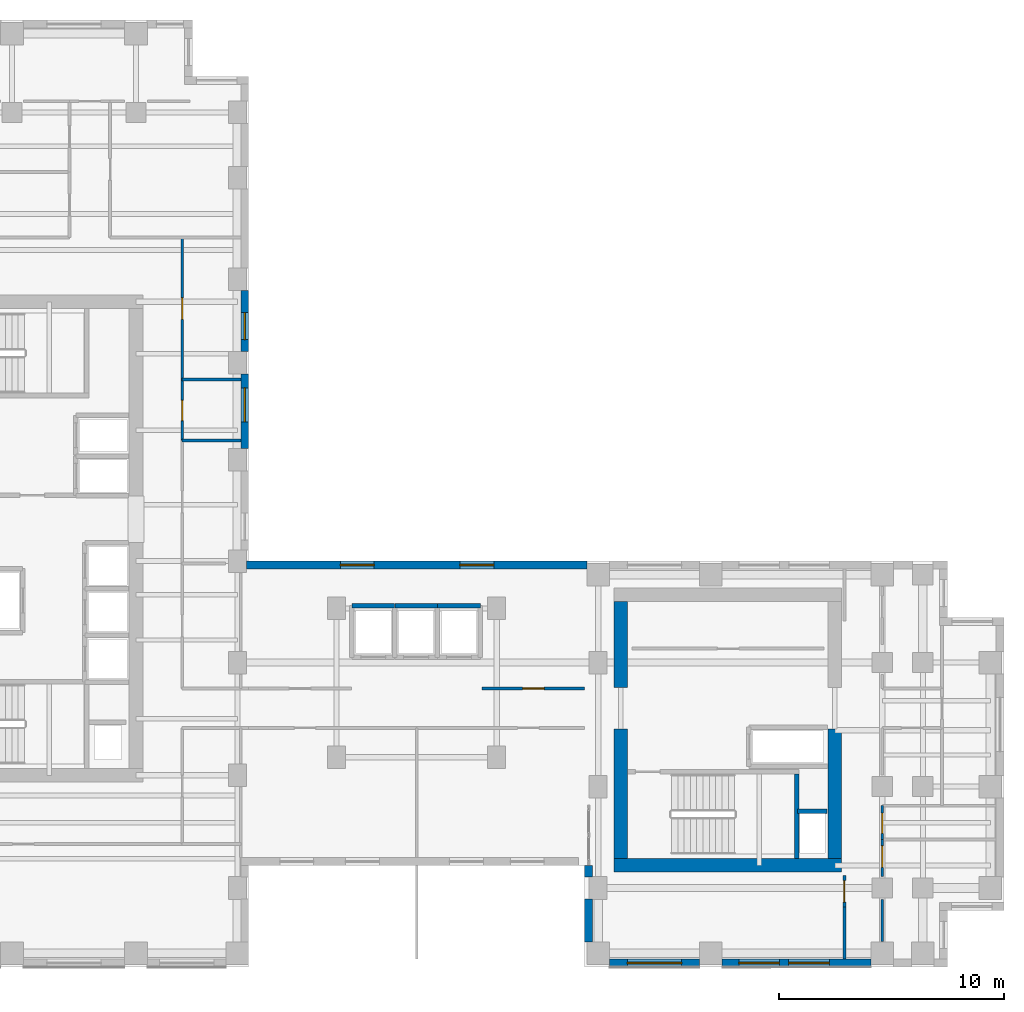
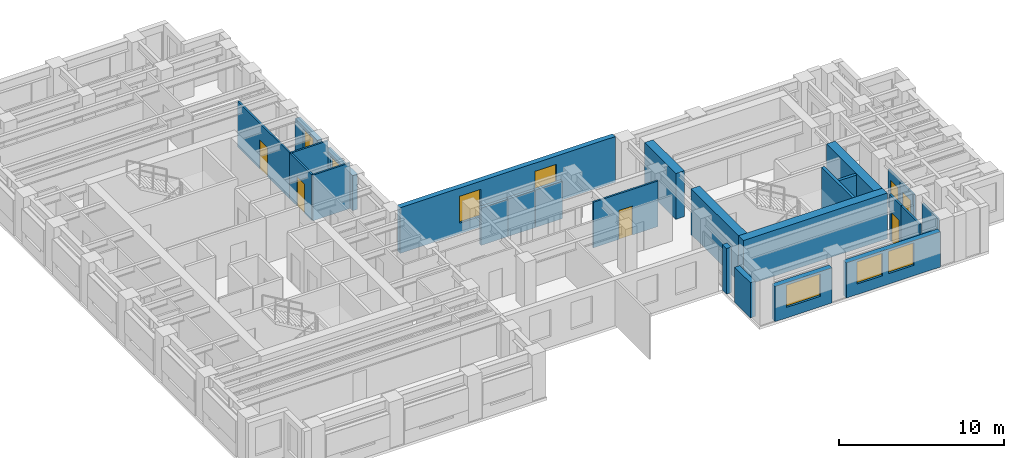
# One storey, part 7 of 12: 26 walls, 7 windows, 6 doors, 13 openings.
"""IFC4 building model written with IfcOpenShell, lengths in metres."""

from ifc_helpers import new_model, si_unit, direction, frame, frame_2d, origin, place, context, subcontext, project, spatial, rectangle, extrude, source, transform, mapped, material, layer, layer_set, type_object, element, fill, save


model = new_model("IFC4")

# Units and contexts
model_context = context("Model", 3, precision=1e-05, world=origin(), true_north=direction((0.0, 1.0)))
body_context = subcontext(model_context, "Body", "Model", "MODEL_VIEW")
ifc_project = project(units=[si_unit("LENGTHUNIT", "METRE"), si_unit("AREAUNIT", "SQUARE_METRE"), si_unit("VOLUMEUNIT", "CUBIC_METRE"), si_unit("PLANEANGLEUNIT", "RADIAN"), si_unit("MASSUNIT", "GRAM", prefix="KILO")], contexts=[model_context])

# Site, building, storey
site_placement = place(None, origin())
site = spatial("IfcSite", under=ifc_project, at=site_placement, CompositionType="ELEMENT")
building_placement = place(site_placement, origin())
building = spatial("IfcBuilding", under=site, at=building_placement, Name="Kharzan Plaza Tower", CompositionType="ELEMENT")
storey_placement = place(building_placement, frame((0.0, 0.0, 146.699951171875)))
storey = spatial("IfcBuildingStorey", under=building, at=storey_placement, Name="L39", CompositionType="ELEMENT", Elevation=146.699951171875)

# Wall, opening, window
ifc_material_1 = material(Name="Concrete C40/50", Category="concrete")
ifc_layer_1 = layer(ifc_material_1, 0.35009765625)
ifc_layer_set_1 = layer_set([ifc_layer_1], Name="Concrete C40/50")
wall_type_1 = type_object("IfcWallType", Name="WL-EXT-MAS-Z3", PredefinedType="SOLIDWALL", material=ifc_layer_set_1)
wall_1_placement = place(storey_placement, frame((35.498046875, 0.175048828125, 0.0), z_axis=(0.0, 0.0, 1.0), x_axis=(1.0, 0.0, 0.0)))
wall_1 = element("IfcWall", 1, at=wall_1_placement, inside=storey, type_object=wall_type_1, Name="L39 Masonry-Frame Exterior Wall 29", PredefinedType="SOLIDWALL", context=body_context, shape_type="SweptSolid", body=[
    extrude(rectangle(XDim=4.00390625, YDim=0.35009765625, at=frame_2d((2.001953125, 0.0))), origin(), (0.0, 0.0, 1.0), 2.612060546875),
])
opening_1_placement = place(wall_1_placement, frame((0.802001953125, 0.0, 0.780029296875)))
opening_1 = element("IfcOpeningElement", 2, at=opening_1_placement, cuts=wall_1, Name="Opening W2", PredefinedType="OPENING", context=body_context, shape_type="SweptSolid", body=[
    extrude(rectangle(XDim=2.39990234375, YDim=1.652099609375, at=frame_2d((1.199951171875, 0.826171875))), frame((0.0, 0.18505859375, 0.0), z_axis=(0.0, -1.0, 0.0), x_axis=(1.0, 0.0, 0.0)), (0.0, 0.0, 1.0), 0.3701171875),
])
ifc_material_2 = material(Name="Low-E Double Glazing", Category="glass")
window_type_1 = type_object("IfcWindowType", Name="WN-REC-2400x2100", PartitioningType="SINGLE_PANEL", PredefinedType="WINDOW", material=ifc_material_2)
shared_shape_1 = source(origin(), body_context, "Body", "SweptSolid", [
    extrude(rectangle(XDim=2.39990234375, YDim=1.652099609375, at=frame_2d((1.199951171875, 0.826171875))), frame((0.0, 0.030029296875, 0.0), z_axis=(0.0, -1.0, 0.0), x_axis=(1.0, 0.0, 0.0)), (0.0, 0.0, 1.0), 0.06005859375),
])
window_1_placement = place(opening_1_placement, origin())
window_1 = element("IfcWindow", 3, at=window_1_placement, inside=storey, type_object=window_type_1, Name="L39 Wide Recessed Solar-Control Window 29-1", OverallHeight=1.652099609375, OverallWidth=2.39990234375, PartitioningType="SINGLE_PANEL", PredefinedType="WINDOW", context=body_context, shape_type="MappedRepresentation", body=[
    mapped(shared_shape_1, transform((0.0, 0.0, 0.0), x_axis=(1.0, 0.0, 0.0), y_axis=(0.0, 1.0, 0.0), z_axis=(0.0, 0.0, 1.0))),
])
fill(opening_1, window_1)

# Wall, openings, windows
wall_2_placement = place(storey_placement, frame((40.498046875, 0.175048828125, 0.0), z_axis=(0.0, 0.0, 1.0), x_axis=(1.0, 0.0, 0.0)))
wall_2 = element("IfcWall", 4, at=wall_2_placement, inside=storey, type_object=wall_type_1, Name="L39 Masonry-Frame Exterior Wall 30", PredefinedType="SOLIDWALL", context=body_context, shape_type="SweptSolid", body=[
    extrude(rectangle(XDim=6.60400390625, YDim=0.35009765625, at=frame_2d((3.302001953125, 0.0))), origin(), (0.0, 0.0, 1.0), 2.612060546875),
])
opening_2_placement = place(wall_2_placement, frame((0.7373046875, 0.0, 0.780029296875)))
opening_2 = element("IfcOpeningElement", 5, at=opening_2_placement, cuts=wall_2, Name="Opening W1", PredefinedType="OPENING", context=body_context, shape_type="SweptSolid", body=[
    extrude(rectangle(XDim=1.800048828125, YDim=1.652099609375, at=frame_2d((0.89990234375, 0.826171875))), frame((0.0, 0.18505859375, 0.0), z_axis=(0.0, -1.0, 0.0), x_axis=(1.0, 0.0, 0.0)), (0.0, 0.0, 1.0), 0.3701171875),
])
opening_3_placement = place(wall_2_placement, frame((2.95458984375, 0.0, 0.780029296875)))
opening_3 = element("IfcOpeningElement", 6, at=opening_3_placement, cuts=wall_2, Name="Opening W1", PredefinedType="OPENING", context=body_context, shape_type="SweptSolid", body=[
    extrude(rectangle(XDim=1.800048828125, YDim=1.652099609375, at=frame_2d((0.89990234375, 0.826171875))), frame((0.0, 0.18505859375, 0.0), z_axis=(0.0, -1.0, 0.0), x_axis=(1.0, 0.0, 0.0)), (0.0, 0.0, 1.0), 0.3701171875),
])
window_type_2 = type_object("IfcWindowType", Name="WN-REC-1800x2100", PartitioningType="SINGLE_PANEL", PredefinedType="WINDOW", material=ifc_material_2)
shared_shape_2 = source(origin(), body_context, "Body", "SweptSolid", [
    extrude(rectangle(XDim=1.800048828125, YDim=1.652099609375, at=frame_2d((0.89990234375, 0.826171875))), frame((0.0, 0.030029296875, 0.0), z_axis=(0.0, -1.0, 0.0), x_axis=(1.0, 0.0, 0.0)), (0.0, 0.0, 1.0), 0.06005859375),
])
window_2_placement = place(opening_2_placement, origin())
window_2 = element("IfcWindow", 7, at=window_2_placement, inside=storey, type_object=window_type_2, Name="L39 Recessed Solar-Control Window 30-1", OverallHeight=1.652099609375, OverallWidth=1.800048828125, PartitioningType="SINGLE_PANEL", PredefinedType="WINDOW", context=body_context, shape_type="MappedRepresentation", body=[
    mapped(shared_shape_2, transform((0.0, 0.0, 0.0), x_axis=(1.0, 0.0, 0.0), y_axis=(0.0, 1.0, 0.0), z_axis=(0.0, 0.0, 1.0))),
])
fill(opening_2, window_2)
window_3_placement = place(opening_3_placement, origin())
window_3 = element("IfcWindow", 8, at=window_3_placement, inside=storey, type_object=window_type_2, Name="L39 Recessed Solar-Control Window 30-2", OverallHeight=1.652099609375, OverallWidth=1.800048828125, PartitioningType="SINGLE_PANEL", PredefinedType="WINDOW", context=body_context, shape_type="MappedRepresentation", body=[
    mapped(shared_shape_2, transform((0.0, 0.0, 0.0), x_axis=(1.0, 0.0, 0.0), y_axis=(0.0, 1.0, 0.0), z_axis=(0.0, 0.0, 1.0))),
])
fill(opening_3, window_3)

wall_3_placement = place(storey_placement, frame((34.501953125, 17.824951171875, 0.0), z_axis=(0.0, 0.0, 1.0), x_axis=(-1.0, 0.0, 0.0)))
wall_3 = element("IfcWall", 9, at=wall_3_placement, inside=storey, type_object=wall_type_1, Name="L39 Masonry-Frame Exterior Wall 44", PredefinedType="SOLIDWALL", context=body_context, shape_type="SweptSolid", body=[
    extrude(rectangle(XDim=15.10400390625, YDim=0.35009765625, at=frame_2d((7.552001953125, 0.0))), origin(), (0.0, 0.0, 1.0), 3.385009765625),
])
opening_4_placement = place(wall_3_placement, frame((4.131103515625, 0.0, 0.780029296875)))
opening_4 = element("IfcOpeningElement", 10, at=opening_4_placement, cuts=wall_3, Name="Opening W5", PredefinedType="OPENING", context=body_context, shape_type="SweptSolid", body=[
    extrude(rectangle(XDim=1.5, YDim=2.0, at=frame_2d((0.75, 1.0))), frame((0.0, 0.18505859375, 0.0), z_axis=(0.0, -1.0, 0.0), x_axis=(1.0, 0.0, 0.0)), (0.0, 0.0, 1.0), 0.3701171875),
])
opening_5_placement = place(wall_3_placement, frame((9.4423828125, 0.0, 0.780029296875)))
opening_5 = element("IfcOpeningElement", 11, at=opening_5_placement, cuts=wall_3, Name="Opening W5", PredefinedType="OPENING", context=body_context, shape_type="SweptSolid", body=[
    extrude(rectangle(XDim=1.5, YDim=2.0, at=frame_2d((0.75, 1.0))), frame((0.0, 0.18505859375, 0.0), z_axis=(0.0, -1.0, 0.0), x_axis=(1.0, 0.0, 0.0)), (0.0, 0.0, 1.0), 0.3701171875),
])
window_type_3 = type_object("IfcWindowType", Name="WN-SLT-1500x2000", PartitioningType="SINGLE_PANEL", PredefinedType="WINDOW", material=ifc_material_2)
shared_shape_3 = source(origin(), body_context, "Body", "SweptSolid", [
    extrude(rectangle(XDim=1.5, YDim=2.0, at=frame_2d((0.75, 1.0))), frame((0.0, 0.030029296875, 0.0), z_axis=(0.0, -1.0, 0.0), x_axis=(1.0, 0.0, 0.0)), (0.0, 0.0, 1.0), 0.06005859375),
])
window_4_placement = place(opening_4_placement, origin())
window_4 = element("IfcWindow", 12, at=window_4_placement, inside=storey, type_object=window_type_3, Name="L39 Recessed Solar-Control Window 44-1", OverallHeight=2.0, OverallWidth=1.5, PartitioningType="SINGLE_PANEL", PredefinedType="WINDOW", context=body_context, shape_type="MappedRepresentation", body=[
    mapped(shared_shape_3, transform((0.0, 0.0, 0.0), x_axis=(1.0, 0.0, 0.0), y_axis=(0.0, 1.0, 0.0), z_axis=(0.0, 0.0, 1.0))),
])
fill(opening_4, window_4)
window_5_placement = place(opening_5_placement, origin())
window_5 = element("IfcWindow", 13, at=window_5_placement, inside=storey, type_object=window_type_3, Name="L39 Recessed Solar-Control Window 44-2", OverallHeight=2.0, OverallWidth=1.5, PartitioningType="SINGLE_PANEL", PredefinedType="WINDOW", context=body_context, shape_type="MappedRepresentation", body=[
    mapped(shared_shape_3, transform((0.0, 0.0, 0.0), x_axis=(1.0, 0.0, 0.0), y_axis=(0.0, 1.0, 0.0), z_axis=(0.0, 0.0, 1.0))),
])
fill(opening_5, window_5)

# Wall, opening, window
wall_4_placement = place(storey_placement, frame((19.324951171875, 22.998046875, 0.0), z_axis=(0.0, 0.0, 1.0), x_axis=(0.0, 1.0, 0.0)))
wall_4 = element("IfcWall", 14, at=wall_4_placement, inside=storey, type_object=wall_type_1, Name="L39 Masonry-Frame Exterior Wall 46", PredefinedType="SOLIDWALL", context=body_context, shape_type="SweptSolid", body=[
    extrude(rectangle(XDim=3.303955078125, YDim=0.35009765625, at=frame_2d((1.65185546875, 0.0))), origin(), (0.0, 0.0, 1.0), 2.612060546875),
])
opening_6_placement = place(wall_4_placement, frame((1.180419921875, 0.0, 0.780029296875)))
opening_6 = element("IfcOpeningElement", 15, at=opening_6_placement, cuts=wall_4, Name="Opening W5", PredefinedType="OPENING", context=body_context, shape_type="SweptSolid", body=[
    extrude(rectangle(XDim=1.5, YDim=1.652099609375, at=frame_2d((0.75, 0.826171875))), frame((0.0, 0.18505859375, 0.0), z_axis=(0.0, -1.0, 0.0), x_axis=(1.0, 0.0, 0.0)), (0.0, 0.0, 1.0), 0.3701171875),
])
shared_shape_4 = source(origin(), body_context, "Body", "SweptSolid", [
    extrude(rectangle(XDim=1.5, YDim=1.652099609375, at=frame_2d((0.75, 0.826171875))), frame((0.0, 0.030029296875, 0.0), z_axis=(0.0, -1.0, 0.0), x_axis=(1.0, 0.0, 0.0)), (0.0, 0.0, 1.0), 0.06005859375),
])
window_6_placement = place(opening_6_placement, origin())
window_6 = element("IfcWindow", 16, at=window_6_placement, inside=storey, type_object=window_type_3, Name="L39 Recessed Solar-Control Window 46-1", OverallHeight=1.652099609375, OverallWidth=1.5, PartitioningType="SINGLE_PANEL", PredefinedType="WINDOW", context=body_context, shape_type="MappedRepresentation", body=[
    mapped(shared_shape_4, transform((0.0, 0.0, 0.0), x_axis=(1.0, 0.0, 0.0), y_axis=(0.0, 1.0, 0.0), z_axis=(0.0, 0.0, 1.0))),
])
fill(opening_6, window_6)

wall_5_placement = place(storey_placement, frame((19.324951171875, 27.298095703125, 0.0), z_axis=(0.0, 0.0, 1.0), x_axis=(0.0, 1.0, 0.0)))
wall_5 = element("IfcWall", 17, at=wall_5_placement, inside=storey, type_object=wall_type_1, Name="L39 Masonry-Frame Exterior Wall 47", PredefinedType="SOLIDWALL", context=body_context, shape_type="SweptSolid", body=[
    extrude(rectangle(XDim=2.703857421875, YDim=0.35009765625, at=frame_2d((1.35205078125, 0.0))), origin(), (0.0, 0.0, 1.0), 2.612060546875),
])
opening_7_placement = place(wall_5_placement, frame((0.523681640625, 0.0, 0.780029296875)))
opening_7 = element("IfcOpeningElement", 18, at=opening_7_placement, cuts=wall_5, Name="Opening W3", PredefinedType="OPENING", context=body_context, shape_type="SweptSolid", body=[
    extrude(rectangle(XDim=1.199951171875, YDim=1.652099609375, at=frame_2d((0.60009765625, 0.826171875))), frame((0.0, 0.18505859375, 0.0), z_axis=(0.0, -1.0, 0.0), x_axis=(1.0, 0.0, 0.0)), (0.0, 0.0, 1.0), 0.3701171875),
])
window_type_4 = type_object("IfcWindowType", Name="WN-REC-1200x2100", PartitioningType="SINGLE_PANEL", PredefinedType="WINDOW", material=ifc_material_2)
shared_shape_5 = source(origin(), body_context, "Body", "SweptSolid", [
    extrude(rectangle(XDim=1.199951171875, YDim=1.652099609375, at=frame_2d((0.60009765625, 0.826171875))), frame((0.0, 0.030029296875, 0.0), z_axis=(0.0, -1.0, 0.0), x_axis=(1.0, 0.0, 0.0)), (0.0, 0.0, 1.0), 0.06005859375),
])
window_7_placement = place(opening_7_placement, origin())
window_7 = element("IfcWindow", 19, at=window_7_placement, inside=storey, type_object=window_type_4, Name="L39 Recessed Solar-Control Window 47-1", OverallHeight=1.652099609375, OverallWidth=1.199951171875, PartitioningType="SINGLE_PANEL", PredefinedType="WINDOW", context=body_context, shape_type="MappedRepresentation", body=[
    mapped(shared_shape_5, transform((0.0, 0.0, 0.0), x_axis=(1.0, 0.0, 0.0), y_axis=(0.0, 1.0, 0.0), z_axis=(0.0, 0.0, 1.0))),
])
fill(opening_7, window_7)

# Wall, opening, door
ifc_material_3 = material(Name="Fire-Rated Gypsum Board Partition", Category="gypsum")
ifc_layer_2 = layer(ifc_material_3, 0.125)
ifc_layer_set_2 = layer_set([ifc_layer_2], Name="Fire-Rated Gypsum Board Partition")
wall_type_2 = type_object("IfcWallType", Name="WL-INT-PART-125", PredefinedType="PARTITIONING", material=ifc_layer_set_2)
wall_6_placement = place(storey_placement, frame((16.550048828125, 26.050048828125, 0.0), z_axis=(0.0, 0.0, 1.0), x_axis=(0.0, 1.0, 0.0)))
wall_6 = element("IfcWall", 20, at=wall_6_placement, inside=storey, type_object=wall_type_2, Name="L39 Interior Partition SH-AEWN3", PredefinedType="PARTITIONING", context=body_context, shape_type="SweptSolid", body=[
    extrude(rectangle(XDim=6.300048828125, YDim=0.125, at=frame_2d((3.14990234375, 0.0))), origin(), (0.0, 0.0, 1.0), 3.385009765625),
])
opening_8_placement = place(wall_6_placement, frame((2.675048828125, 0.0, 0.0)))
opening_8 = element("IfcOpeningElement", 21, at=opening_8_placement, cuts=wall_6, Name="Opening OD1", PredefinedType="OPENING", context=body_context, shape_type="SweptSolid", body=[
    extrude(rectangle(XDim=0.949951171875, YDim=2.14990234375, at=frame_2d((0.47509765625, 1.074951171875))), frame((0.0, 0.072509765625, 0.0), z_axis=(0.0, -1.0, 0.0), x_axis=(1.0, 0.0, 0.0)), (0.0, 0.0, 1.0), 0.14501953125),
])
ifc_material_4 = material(Name="Acoustic Solid-Core Stained Oak", Category="timber")
door_type_1 = type_object("IfcDoorType", Name="DR-OFF-SINGLE", OperationType="NOTDEFINED", PredefinedType="DOOR", material=ifc_material_4)
shared_shape_6 = source(origin(), body_context, "Body", "SweptSolid", [
    extrude(rectangle(XDim=0.949951171875, YDim=2.14990234375, at=frame_2d((0.47509765625, 1.074951171875))), frame((0.0, 0.02490234375, 0.0), z_axis=(0.0, -1.0, 0.0), x_axis=(1.0, 0.0, 0.0)), (0.0, 0.0, 1.0), 0.050048828125),
])
door_1_placement = place(opening_8_placement, origin())
door_1 = element("IfcDoor", 22, at=door_1_placement, inside=storey, type_object=door_type_1, Name="L39 Staff Tea Point Door", OperationType="SINGLE_SWING_LEFT", OverallHeight=2.14990234375, OverallWidth=0.949951171875, PredefinedType="DOOR", context=body_context, shape_type="MappedRepresentation", body=[
    mapped(shared_shape_6, transform((0.0, 0.0, 0.0), x_axis=(1.0, 0.0, 0.0), y_axis=(0.0, 1.0, 0.0), z_axis=(0.0, 0.0, 1.0))),
])
fill(opening_8, door_1)

wall_7_placement = place(storey_placement, frame((16.550048828125, 23.35009765625, 0.0), z_axis=(0.0, 0.0, 1.0), x_axis=(0.0, 1.0, 0.0)))
wall_7 = element("IfcWall", 23, at=wall_7_placement, inside=storey, type_object=wall_type_2, Name="L39 Interior Partition SH-AEWW", PredefinedType="PARTITIONING", context=body_context, shape_type="SweptSolid", body=[
    extrude(rectangle(XDim=2.699951171875, YDim=0.125, at=frame_2d((1.35009765625, 0.0))), origin(), (0.0, 0.0, 1.0), 3.385009765625),
])
opening_9_placement = place(wall_7_placement, frame((0.875, 0.0, 0.0)))
opening_9 = element("IfcOpeningElement", 24, at=opening_9_placement, cuts=wall_7, Name="Opening WD1", PredefinedType="OPENING", context=body_context, shape_type="SweptSolid", body=[
    extrude(rectangle(XDim=0.89990234375, YDim=2.14990234375, at=frame_2d((0.449951171875, 1.074951171875))), frame((0.0, 0.072509765625, 0.0), z_axis=(0.0, -1.0, 0.0), x_axis=(1.0, 0.0, 0.0)), (0.0, 0.0, 1.0), 0.14501953125),
])
ifc_material_5 = material(Name="Moisture-Resistant Fire-Rated Laminate", Category="timber")
door_type_2 = type_object("IfcDoorType", Name="DR-WC-900", OperationType="NOTDEFINED", PredefinedType="DOOR", material=ifc_material_5)
shared_shape_7 = source(origin(), body_context, "Body", "SweptSolid", [
    extrude(rectangle(XDim=0.89990234375, YDim=2.14990234375, at=frame_2d((0.449951171875, 1.074951171875))), frame((0.0, 0.02490234375, 0.0), z_axis=(0.0, -1.0, 0.0), x_axis=(1.0, 0.0, 0.0)), (0.0, 0.0, 1.0), 0.050048828125),
])
door_2_placement = place(opening_9_placement, origin())
door_2 = element("IfcDoor", 25, at=door_2_placement, inside=storey, type_object=door_type_2, Name="L39 Wing A Washroom Door", OperationType="SINGLE_SWING_RIGHT", OverallHeight=2.14990234375, OverallWidth=0.89990234375, PredefinedType="DOOR", context=body_context, shape_type="MappedRepresentation", body=[
    mapped(shared_shape_7, transform((0.0, 0.0, 0.0), x_axis=(1.0, 0.0, 0.0), y_axis=(0.0, 1.0, 0.0), z_axis=(0.0, 0.0, 1.0))),
])
fill(opening_9, door_2)

wall_8_placement = place(storey_placement, frame((47.60009765625, 4.02001953125, 0.0), z_axis=(0.0, 0.0, 1.0), x_axis=(0.0, 1.0, 0.0)))
wall_8 = element("IfcWall", 26, at=wall_8_placement, inside=storey, type_object=wall_type_2, Name="L39 Interior Partition SH-B2W0", PredefinedType="PARTITIONING", context=body_context, shape_type="SweptSolid", body=[
    extrude(rectangle(XDim=1.6298828125, YDim=0.125, at=frame_2d((0.81494140625, 0.0))), origin(), (0.0, 0.0, 1.0), 2.77294921875),
])
opening_10_placement = place(wall_8_placement, frame((0.393310546875, 0.0, 0.0)))
opening_10 = element("IfcOpeningElement", 27, at=opening_10_placement, cuts=wall_8, Name="Opening OD1", PredefinedType="OPENING", context=body_context, shape_type="SweptSolid", body=[
    extrude(rectangle(XDim=0.949951171875, YDim=2.14990234375, at=frame_2d((0.47509765625, 1.074951171875))), frame((0.0, 0.072509765625, 0.0), z_axis=(0.0, -1.0, 0.0), x_axis=(1.0, 0.0, 0.0)), (0.0, 0.0, 1.0), 0.14501953125),
])
door_3_placement = place(opening_10_placement, origin())
door_3 = element("IfcDoor", 28, at=door_3_placement, inside=storey, type_object=door_type_1, Name="L39 Wing B South Office Door", OperationType="SINGLE_SWING_RIGHT", OverallHeight=2.14990234375, OverallWidth=0.949951171875, PredefinedType="DOOR", context=body_context, shape_type="MappedRepresentation", body=[
    mapped(shared_shape_6, transform((0.0, 0.0, 0.0), x_axis=(1.0, 0.0, 0.0), y_axis=(0.0, 1.0, 0.0), z_axis=(0.0, 0.0, 1.0))),
])
fill(opening_10, door_3)

wall_9_placement = place(storey_placement, frame((47.60009765625, 5.64990234375, 0.0), z_axis=(0.0, 0.0, 1.0), x_axis=(0.0, 1.0, 0.0)))
wall_9 = element("IfcWall", 29, at=wall_9_placement, inside=storey, type_object=wall_type_2, Name="L39 Interior Partition SH-B2WC", PredefinedType="PARTITIONING", context=body_context, shape_type="SweptSolid", body=[
    extrude(rectangle(XDim=1.5, YDim=0.125, at=frame_2d((0.75, 0.0))), origin(), (0.0, 0.0, 1.0), 2.77294921875),
])
opening_11_placement = place(wall_9_placement, frame((0.27490234375, 0.0, 0.0)))
opening_11 = element("IfcOpeningElement", 30, at=opening_11_placement, cuts=wall_9, Name="Opening WD1", PredefinedType="OPENING", context=body_context, shape_type="SweptSolid", body=[
    extrude(rectangle(XDim=0.89990234375, YDim=2.14990234375, at=frame_2d((0.449951171875, 1.074951171875))), frame((0.0, 0.072509765625, 0.0), z_axis=(0.0, -1.0, 0.0), x_axis=(1.0, 0.0, 0.0)), (0.0, 0.0, 1.0), 0.14501953125),
])
door_4_placement = place(opening_11_placement, origin())
door_4 = element("IfcDoor", 31, at=door_4_placement, inside=storey, type_object=door_type_2, Name="L39 Wing B Washroom Door", OperationType="SINGLE_SWING_LEFT", OverallHeight=2.14990234375, OverallWidth=0.89990234375, PredefinedType="DOOR", context=body_context, shape_type="MappedRepresentation", body=[
    mapped(shared_shape_7, transform((0.0, 0.0, 0.0), x_axis=(1.0, 0.0, 0.0), y_axis=(0.0, 1.0, 0.0), z_axis=(0.0, 0.0, 1.0))),
])
fill(opening_11, door_4)

wall_10_placement = place(storey_placement, frame((45.919921875, 2.64990234375, 0.0), z_axis=(0.0, 0.0, 1.0), x_axis=(0.0, 1.0, 0.0)))
wall_10 = element("IfcWall", 32, at=wall_10_placement, inside=storey, type_object=wall_type_2, Name="L39 Interior Partition SH-RBSE", PredefinedType="PARTITIONING", context=body_context, shape_type="SweptSolid", body=[
    extrude(rectangle(XDim=1.400146484375, YDim=0.125, at=frame_2d((0.7001953125, 0.0))), origin(), (0.0, 0.0, 1.0), 3.385009765625),
])
opening_12_placement = place(wall_10_placement, frame((0.22509765625, 0.0, 0.0)))
opening_12 = element("IfcOpeningElement", 33, at=opening_12_placement, cuts=wall_10, Name="Opening OD1", PredefinedType="OPENING", context=body_context, shape_type="SweptSolid", body=[
    extrude(rectangle(XDim=0.949951171875, YDim=2.14990234375, at=frame_2d((0.47509765625, 1.074951171875))), frame((0.0, 0.072509765625, 0.0), z_axis=(0.0, -1.0, 0.0), x_axis=(1.0, 0.0, 0.0)), (0.0, 0.0, 1.0), 0.14501953125),
])
door_5_placement = place(opening_12_placement, origin())
door_5 = element("IfcDoor", 34, at=door_5_placement, inside=storey, type_object=door_type_1, Name="L39 South-East Corner Office Door", OperationType="SINGLE_SWING_RIGHT", OverallHeight=2.14990234375, OverallWidth=0.949951171875, PredefinedType="DOOR", context=body_context, shape_type="MappedRepresentation", body=[
    mapped(shared_shape_6, transform((0.0, 0.0, 0.0), x_axis=(1.0, 0.0, 0.0), y_axis=(0.0, 1.0, 0.0), z_axis=(0.0, 0.0, 1.0))),
])
fill(opening_12, door_5)

wall_11_placement = place(storey_placement, frame((29.85009765625, 12.35009765625, 0.0), z_axis=(0.0, 0.0, 1.0), x_axis=(1.0, 0.0, 0.0)))
wall_11 = element("IfcWall", 35, at=wall_11_placement, inside=storey, type_object=wall_type_2, Name="L39 Interior Partition SH-SPNE1", PredefinedType="PARTITIONING", context=body_context, shape_type="SweptSolid", body=[
    extrude(rectangle(XDim=4.5498046875, YDim=0.125, at=frame_2d((2.27490234375, 0.0))), origin(), (0.0, 0.0, 1.0), 3.385009765625),
])
opening_13_placement = place(wall_11_placement, frame((1.800048828125, 0.0, 0.0)))
opening_13 = element("IfcOpeningElement", 36, at=opening_13_placement, cuts=wall_11, Name="Opening OD1", PredefinedType="OPENING", context=body_context, shape_type="SweptSolid", body=[
    extrude(rectangle(XDim=0.949951171875, YDim=2.14990234375, at=frame_2d((0.47509765625, 1.074951171875))), frame((0.0, 0.072509765625, 0.0), z_axis=(0.0, -1.0, 0.0), x_axis=(1.0, 0.0, 0.0)), (0.0, 0.0, 1.0), 0.14501953125),
])
door_6_placement = place(opening_13_placement, origin())
door_6 = element("IfcDoor", 37, at=door_6_placement, inside=storey, type_object=door_type_1, Name="L39 North-East Spine Door", OperationType="SINGLE_SWING_LEFT", OverallHeight=2.14990234375, OverallWidth=0.949951171875, PredefinedType="DOOR", context=body_context, shape_type="MappedRepresentation", body=[
    mapped(shared_shape_6, transform((0.0, 0.0, 0.0), x_axis=(1.0, 0.0, 0.0), y_axis=(0.0, 1.0, 0.0), z_axis=(0.0, 0.0, 1.0))),
])
fill(opening_13, door_6)

# Walls
shared_shape_8 = source(origin(), body_context, "Body", "SweptSolid", [
    extrude(rectangle(XDim=0.50390625, YDim=0.35009765625, at=frame_2d((0.251953125, 0.0))), origin(), (0.0, 0.0, 1.0), 3.385009765625),
])
wall_12_placement = place(storey_placement, frame((34.574951171875, 4.501953125, 0.0), z_axis=(0.0, 0.0, 1.0), x_axis=(0.0, -1.0, 0.0)))
element("IfcWall", 38, at=wall_12_placement, inside=storey, type_object=wall_type_1, Name="L39 Masonry-Frame Exterior Wall 27", PredefinedType="SOLIDWALL", context=body_context, shape_type="MappedRepresentation", body=[
    mapped(shared_shape_8, transform((0.0, 0.0, 0.0), x_axis=(1.0, 0.0, 0.0), y_axis=(0.0, 1.0, 0.0), z_axis=(0.0, 0.0, 1.0))),
])
shared_shape_9 = source(origin(), body_context, "Body", "SweptSolid", [
    extrude(rectangle(XDim=2.2978515625, YDim=0.125, at=frame_2d((1.14892578125, 0.0))), origin(), (0.0, 0.0, 1.0), 3.385009765625),
])
wall_13_placement = place(storey_placement, frame((45.919921875, 0.35205078125, 0.0), z_axis=(0.0, 0.0, 1.0), x_axis=(0.0, 1.0, 0.0)))
element("IfcWall", 39, at=wall_13_placement, inside=storey, type_object=wall_type_2, Name="L39 Interior Partition SH-RBSE0", PredefinedType="PARTITIONING", context=body_context, shape_type="MappedRepresentation", body=[
    mapped(shared_shape_9, transform((0.0, 0.0, 0.0), x_axis=(1.0, 0.0, 0.0), y_axis=(0.0, 1.0, 0.0), z_axis=(0.0, 0.0, 1.0))),
])
ifc_layer_3 = layer(ifc_material_1, 0.199951171875)
ifc_layer_set_3 = layer_set([ifc_layer_3], Name="Concrete C40/50")
wall_type_3 = type_object("IfcWallType", Name="WL-INT-SHAFT-200", PredefinedType="PARTITIONING", material=ifc_layer_set_3)
shared_shape_10 = source(origin(), body_context, "Body", "SweptSolid", [
    extrude(rectangle(XDim=1.2998046875, YDim=0.199951171875, at=frame_2d((0.64990234375, 0.0))), origin(), (0.0, 0.0, 1.0), 3.385009765625),
])
wall_14_placement = place(storey_placement, frame((43.85009765625, 6.89990234375, 0.0), z_axis=(0.0, 0.0, 1.0), x_axis=(1.0, 0.0, 0.0)))
element("IfcWall", 40, at=wall_14_placement, inside=storey, type_object=wall_type_3, Name="L39 Interior Partition CB-RSRB-N", PredefinedType="PARTITIONING", context=body_context, shape_type="MappedRepresentation", body=[
    mapped(shared_shape_10, transform((0.0, 0.0, 0.0), x_axis=(1.0, 0.0, 0.0), y_axis=(0.0, 1.0, 0.0), z_axis=(0.0, 0.0, 1.0))),
])
shared_shape_11 = source(origin(), body_context, "Body", "SweptSolid", [
    extrude(rectangle(XDim=1.889892578125, YDim=0.199951171875, at=frame_2d((0.94482421875, 0.0))), origin(), (0.0, 0.0, 1.0), 2.77294921875),
])
wall_15_placement = place(storey_placement, frame((24.080078125, 16.02001953125, 0.0), z_axis=(0.0, 0.0, 1.0), x_axis=(1.0, 0.0, 0.0)))
element("IfcWall", 41, at=wall_15_placement, inside=storey, type_object=wall_type_3, Name="L39 Interior Partition SHF-PL-M1-N", PredefinedType="PARTITIONING", context=body_context, shape_type="MappedRepresentation", body=[
    mapped(shared_shape_11, transform((0.0, 0.0, 0.0), x_axis=(1.0, 0.0, 0.0), y_axis=(0.0, 1.0, 0.0), z_axis=(0.0, 0.0, 1.0))),
])
shared_shape_12 = source(origin(), body_context, "Body", "SweptSolid", [
    extrude(rectangle(XDim=1.89013671875, YDim=0.199951171875, at=frame_2d((0.945068359375, 0.0))), origin(), (0.0, 0.0, 1.0), 2.77294921875),
])
for number, where, z_axis, x_axis, name in (
    (42, (25.97998046875, 16.02001953125, 0.0), (0.0, 0.0, 1.0), (1.0, 0.0, 0.0), "L39 Interior Partition SHF-PL-M2-N"),
    (43, (27.8798828125, 16.02001953125, 0.0), (0.0, 0.0, 1.0), (1.0, 0.0, 0.0), "L39 Interior Partition SHF-PL-M3-N"),
):
    element("IfcWall", number, at=place(storey_placement, frame(where, z_axis=z_axis, x_axis=x_axis)), inside=storey, type_object=wall_type_3, Name=name, PredefinedType="PARTITIONING", context=body_context, shape_type="MappedRepresentation", body=[
        mapped(shared_shape_12, transform((0.0, 0.0, 0.0), x_axis=(1.0, 0.0, 0.0), y_axis=(0.0, 1.0, 0.0), z_axis=(0.0, 0.0, 1.0))),
    ])
ifc_material_6 = material(Name="Concrete C50/60", Category="concrete")
ifc_layer_4 = layer(ifc_material_6, 0.60009765625)
ifc_layer_set_4 = layer_set([ifc_layer_4], Name="Concrete C50/60")
wall_type_4 = type_object("IfcWallType", Name="WL-CORE-600", PredefinedType="SHEAR", material=ifc_layer_set_4)
shared_shape_13 = source(origin(), body_context, "Body", "SweptSolid", [
    extrude(rectangle(XDim=5.75, YDim=0.60009765625, at=frame_2d((2.875, 0.0))), origin(), (0.0, 0.0, 1.0), 3.400146484375),
])
for number, where, z_axis, x_axis, name in (
    (44, (45.5, 4.800048828125, 0.0), (0.0, 0.0, 1.0), (0.0, 1.0, 0.0), "L39 CORE-B east shear pier 1"),
    (45, (36.0, 4.800048828125, 0.0), (0.0, 0.0, 1.0), (0.0, 1.0, 0.0), "L39 CORE-B west shear pier 1"),
):
    element("IfcWall", number, at=place(storey_placement, frame(where, z_axis=z_axis, x_axis=x_axis)), inside=storey, type_object=wall_type_4, Name=name, PredefinedType="SHEAR", context=body_context, shape_type="MappedRepresentation", body=[
        mapped(shared_shape_13, transform((0.0, 0.0, 0.0), x_axis=(1.0, 0.0, 0.0), y_axis=(0.0, 1.0, 0.0), z_axis=(0.0, 0.0, 1.0))),
    ])
shared_shape_14 = source(origin(), body_context, "Body", "SweptSolid", [
    extrude(rectangle(XDim=3.800048828125, YDim=0.60009765625, at=frame_2d((1.89990234375, 0.0))), origin(), (0.0, 0.0, 1.0), 3.400146484375),
])
wall_16_placement = place(storey_placement, frame((36.0, 12.39990234375, 0.0), z_axis=(0.0, 0.0, 1.0), x_axis=(0.0, 1.0, 0.0)))
element("IfcWall", 46, at=wall_16_placement, inside=storey, type_object=wall_type_4, Name="L39 CORE-B west shear pier 2", PredefinedType="SHEAR", context=body_context, shape_type="MappedRepresentation", body=[
    mapped(shared_shape_14, transform((0.0, 0.0, 0.0), x_axis=(1.0, 0.0, 0.0), y_axis=(0.0, 1.0, 0.0), z_axis=(0.0, 0.0, 1.0))),
])
shared_shape_15 = source(origin(), body_context, "Body", "SweptSolid", [
    extrude(rectangle(XDim=10.10009765625, YDim=0.60009765625, at=frame_2d((5.050048828125, 0.0))), origin(), (0.0, 0.0, 1.0), 3.400146484375),
])
wall_17_placement = place(storey_placement, frame((35.699951171875, 4.5, 0.0), z_axis=(0.0, 0.0, 1.0), x_axis=(1.0, 0.0, 0.0)))
element("IfcWall", 47, at=wall_17_placement, inside=storey, type_object=wall_type_4, Name="L39 CORE-B south RC shear wall", PredefinedType="SHEAR", context=body_context, shape_type="MappedRepresentation", body=[
    mapped(shared_shape_15, transform((0.0, 0.0, 0.0), x_axis=(1.0, 0.0, 0.0), y_axis=(0.0, 1.0, 0.0), z_axis=(0.0, 0.0, 1.0))),
])
shared_shape_16 = source(origin(), body_context, "Body", "SweptSolid", [
    extrude(rectangle(XDim=1.904052734375, YDim=0.35009765625, at=frame_2d((0.9521484375, 0.0))), origin(), (0.0, 0.0, 1.0), 2.612060546875),
])
wall_18_placement = place(storey_placement, frame((34.574951171875, 3.001953125, 0.0), z_axis=(0.0, 0.0, 1.0), x_axis=(0.0, -1.0, 0.0)))
element("IfcWall", 48, at=wall_18_placement, inside=storey, type_object=wall_type_1, Name="L39 Masonry-Frame Exterior Wall 28", PredefinedType="SOLIDWALL", context=body_context, shape_type="MappedRepresentation", body=[
    mapped(shared_shape_16, transform((0.0, 0.0, 0.0), x_axis=(1.0, 0.0, 0.0), y_axis=(0.0, 1.0, 0.0), z_axis=(0.0, 0.0, 1.0))),
])
shared_shape_17 = source(origin(), body_context, "Body", "SweptSolid", [
    extrude(rectangle(XDim=2.597900390625, YDim=0.125, at=frame_2d((1.298828125, 0.0))), origin(), (0.0, 0.0, 1.0), 3.385009765625),
])
for number, where, z_axis, x_axis, name in (
    (49, (16.550048828125, 23.35009765625, 0.0), (0.0, 0.0, 1.0), (1.0, 0.0, 0.0), "L39 Interior Partition SH-AEH-233"),
    (50, (16.550048828125, 26.050048828125, 0.0), (0.0, 0.0, 1.0), (1.0, 0.0, 0.0), "L39 Interior Partition SH-AEH-260"),
):
    element("IfcWall", number, at=place(storey_placement, frame(where, z_axis=z_axis, x_axis=x_axis)), inside=storey, type_object=wall_type_2, Name=name, PredefinedType="PARTITIONING", context=body_context, shape_type="MappedRepresentation", body=[
        mapped(shared_shape_17, transform((0.0, 0.0, 0.0), x_axis=(1.0, 0.0, 0.0), y_axis=(0.0, 1.0, 0.0), z_axis=(0.0, 0.0, 1.0))),
    ])
shared_shape_18 = source(origin(), body_context, "Body", "SweptSolid", [
    extrude(rectangle(XDim=1.85986328125, YDim=0.125, at=frame_2d((0.929931640625, 0.0))), origin(), (0.0, 0.0, 1.0), 2.77294921875),
])
wall_19_placement = place(storey_placement, frame((47.60009765625, 1.1201171875, 0.0), z_axis=(0.0, 0.0, 1.0), x_axis=(0.0, 1.0, 0.0)))
element("IfcWall", 51, at=wall_19_placement, inside=storey, type_object=wall_type_2, Name="L39 Interior Partition SH-B2W0S", PredefinedType="PARTITIONING", context=body_context, shape_type="MappedRepresentation", body=[
    mapped(shared_shape_18, transform((0.0, 0.0, 0.0), x_axis=(1.0, 0.0, 0.0), y_axis=(0.0, 1.0, 0.0), z_axis=(0.0, 0.0, 1.0))),
])
ifc_layer_5 = layer(ifc_material_6, 0.199951171875)
ifc_layer_set_5 = layer_set([ifc_layer_5], Name="Concrete C50/60")
wall_type_5 = type_object("IfcWallType", Name="WL-SHAFT-RC200", PredefinedType="SHEAR", material=ifc_layer_set_5)
shared_shape_19 = source(origin(), body_context, "Body", "SweptSolid", [
    extrude(rectangle(XDim=3.7529296875, YDim=0.199951171875, at=frame_2d((1.87646484375, 0.0))), origin(), (0.0, 0.0, 1.0), 3.400146484375),
])
wall_20_placement = place(storey_placement, frame((43.804931640625, 4.802001953125, 0.0), z_axis=(0.0, 0.0, 1.0), x_axis=(0.0, 1.0, 0.0)))
element("IfcWall", 52, at=wall_20_placement, inside=storey, type_object=wall_type_5, Name="L39 Stair ST-3 East RC Shaft Wall", PredefinedType="SHEAR", context=body_context, shape_type="MappedRepresentation", body=[
    mapped(shared_shape_19, transform((0.0, 0.0, 0.0), x_axis=(1.0, 0.0, 0.0), y_axis=(0.0, 1.0, 0.0), z_axis=(0.0, 0.0, 1.0))),
])

save(model, "model.ifc")
